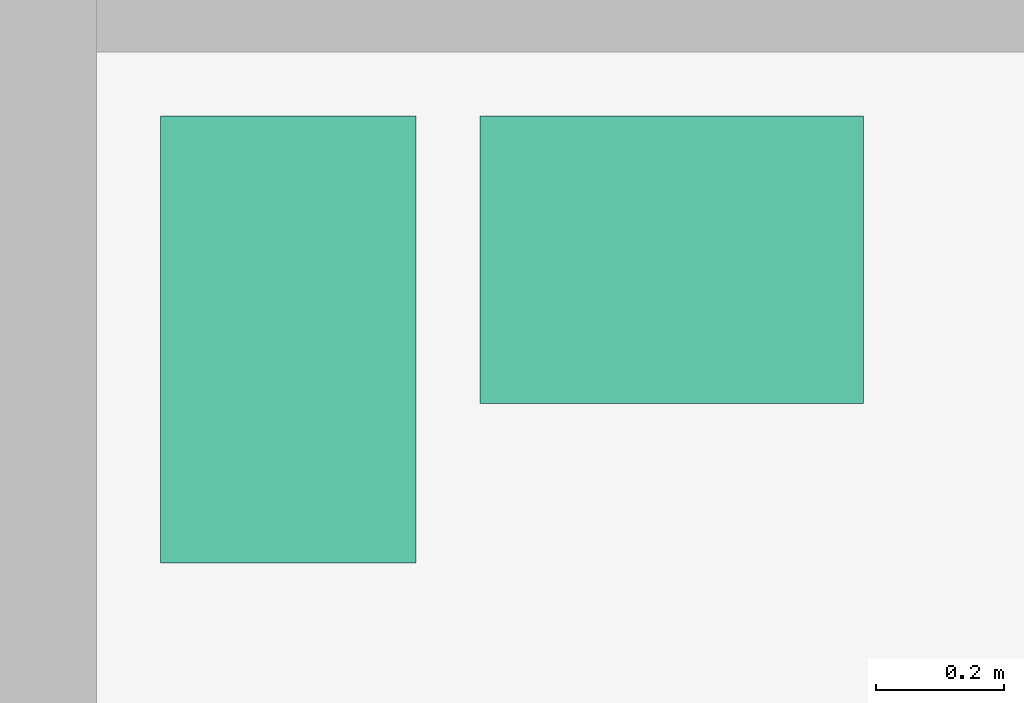
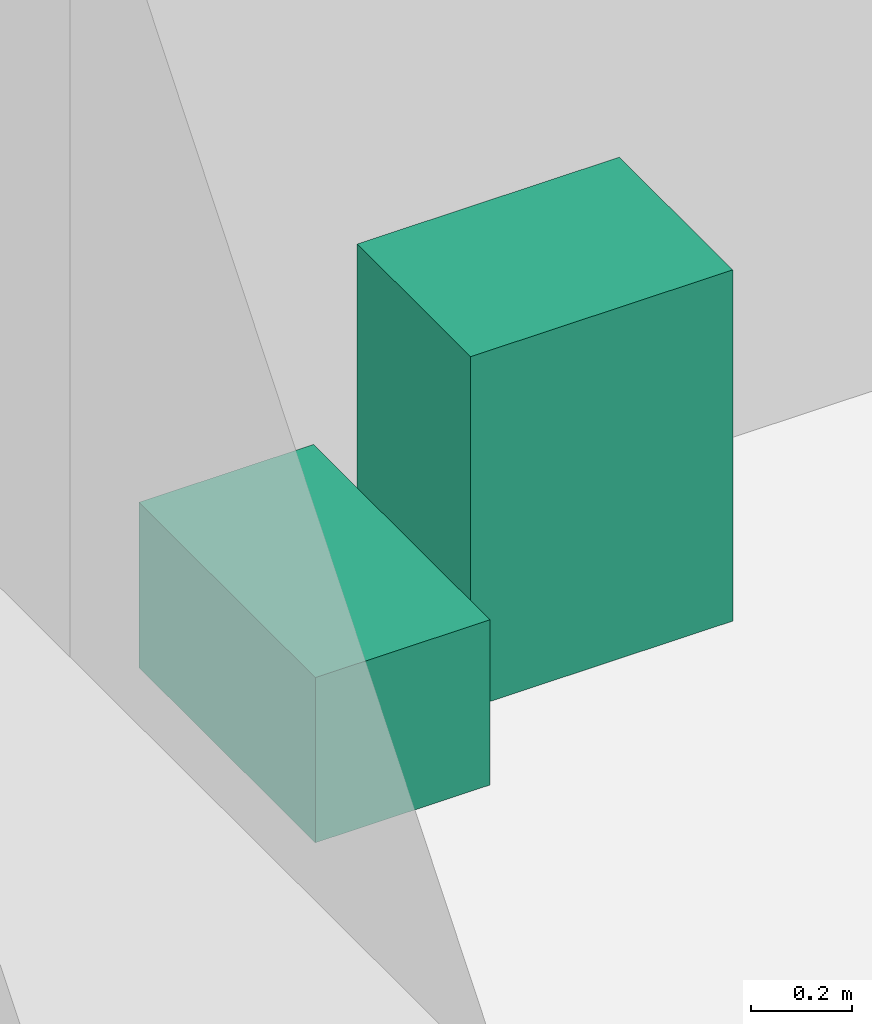
# One storey, part 14 of 14: 2 sanitary terminals.
"""IFC4 building model written with IfcOpenShell, lengths in metres."""

from ifc_helpers import new_model, si_unit, direction, frame, origin, origin_2d, place, context, subcontext, project, spatial, rectangle, extrude, element, save


model = new_model("IFC4")

# Units and contexts
model_context = context("Model", 3, precision=1e-05, world=origin(), true_north=direction((0.0, 1.0)))
body_context = subcontext(model_context, "Body", "Model", "MODEL_VIEW")
ifc_project = project(units=[si_unit("LENGTHUNIT", "METRE"), si_unit("AREAUNIT", "SQUARE_METRE"), si_unit("VOLUMEUNIT", "CUBIC_METRE"), si_unit("PLANEANGLEUNIT", "RADIAN"), si_unit("MASSUNIT", "GRAM", prefix="KILO")], contexts=[model_context])

# Site, building, storey
site_placement = place(None, origin())
site = spatial("IfcSite", under=ifc_project, at=site_placement, CompositionType="ELEMENT")
building_placement = place(site_placement, origin())
building = spatial("IfcBuilding", under=site, at=building_placement, Name="Hankou Lantern Tower", CompositionType="ELEMENT")
storey_placement = place(building_placement, frame((0.0, 0.0, 179.699951171875)))
storey = spatial("IfcBuildingStorey", under=building, at=storey_placement, Name="L48", CompositionType="ELEMENT", Elevation=179.699951171875)

# Sanitary terminals
sanitary_terminal_1_placement = place(storey_placement, frame((-11.300048828125, 3.64990234375, 0.0), z_axis=(0.0, 0.0, 1.0), x_axis=(1.0, 0.0, 0.0)))
element("IfcSanitaryTerminal", 1, at=sanitary_terminal_1_placement, inside=storey, Name="Accessible staff WC WC pan 1", PredefinedType="TOILETPAN", context=body_context, shape_type="SweptSolid", body=[
    extrude(rectangle(XDim=0.39990234375, YDim=0.699951171875, at=origin_2d()), origin(), (0.0, 0.0, 1.0), 0.39990234375),
])
sanitary_terminal_2_placement = place(storey_placement, frame((-10.699951171875, 3.77490234375, 0.0), z_axis=(0.0, 0.0, 1.0), x_axis=(1.0, 0.0, 0.0)))
element("IfcSanitaryTerminal", 2, at=sanitary_terminal_2_placement, inside=storey, Name="Accessible staff WC wash basin 1", PredefinedType="WASHHANDBASIN", context=body_context, shape_type="SweptSolid", body=[
    extrude(rectangle(XDim=0.60009765625, YDim=0.449951171875, at=origin_2d()), origin(), (0.0, 0.0, 1.0), 0.85009765625),
])

save(model, "model.ifc")
